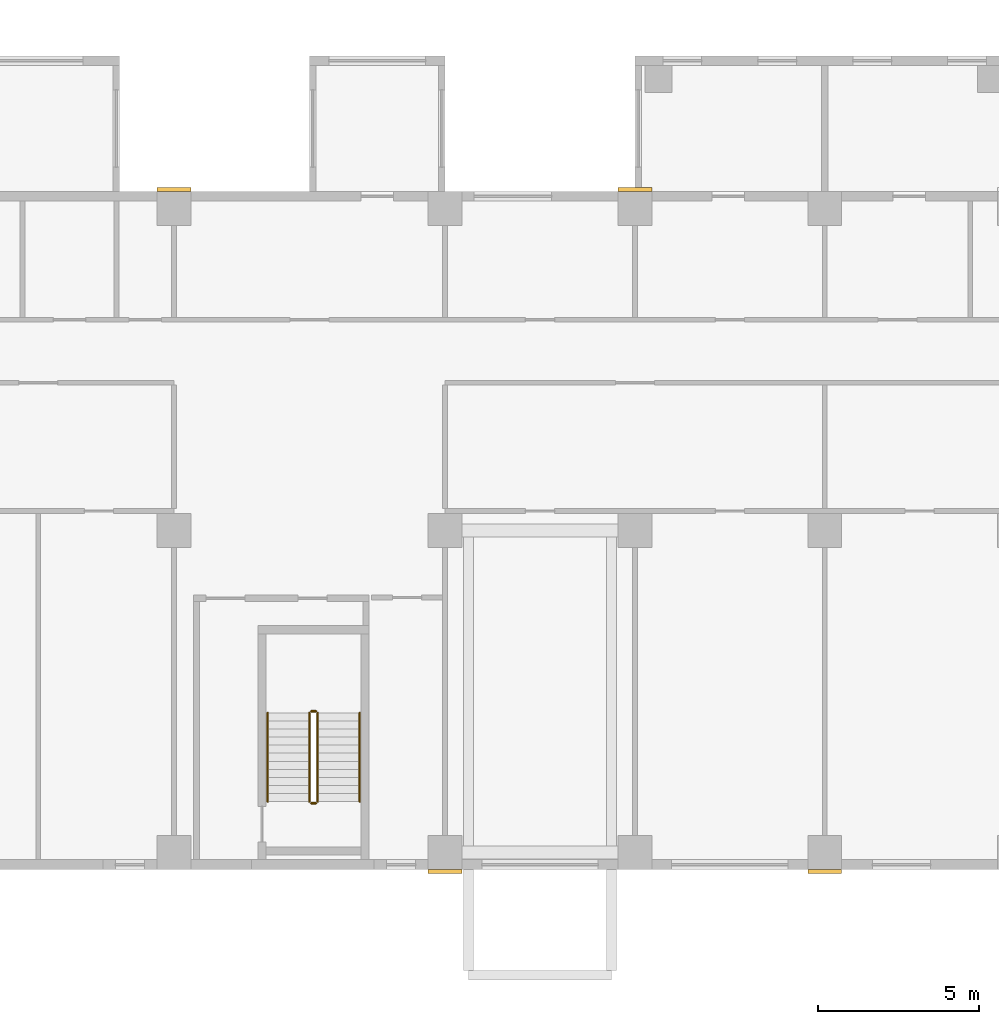
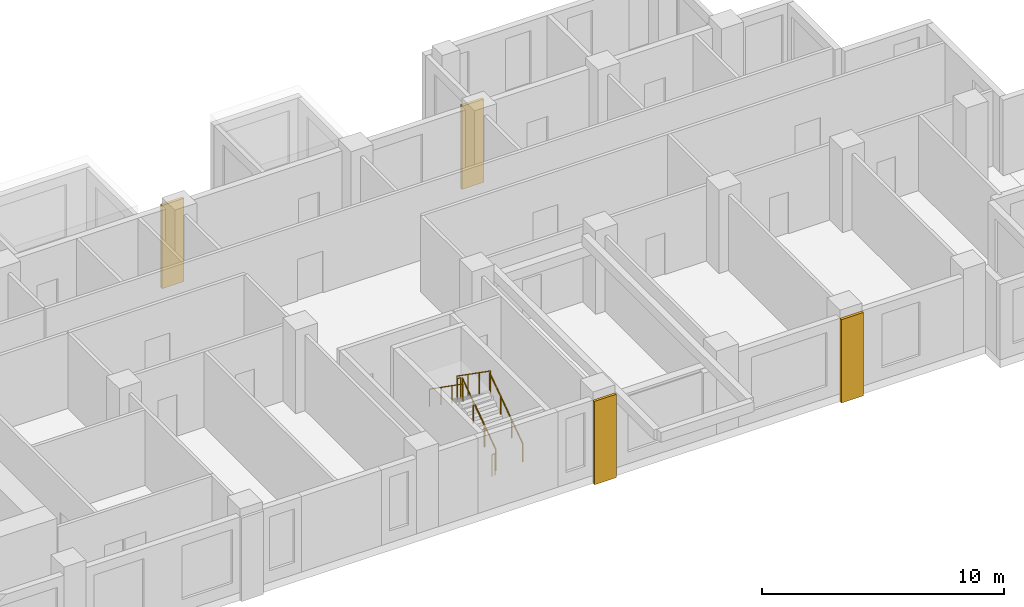
# One storey, part 12 of 14: 6 railings, 4 coverings.
"""IFC4 building model written with IfcOpenShell, lengths in metres."""

import ifcopenshell
import ifcopenshell.guid

model = None  # the IFC model being written
_history = None  # IfcOwnerHistory: only IFC2X3 demands one
_inside = {}  # id of a spatial element -> (the spatial element, [elements in it])
_under = {}  # id of a project, library or spatial element -> (it, [spatial elements below it])
_declared = {}  # id of a project -> (the project, [libraries it declares])
_typed = {}  # id of a type object -> (the type object, [elements of that type])
_made_of = {}  # id of a material, layer set ... -> (it, [elements and type objects made of it])


def new_model(schema):
    """Start an empty IFC model of exactly this schema.

    Asked for "IFC4X3", IfcOpenShell would pick the latest addendum, in which some entities
    have other attributes; the version numbers below select the first issue.
    IFC2X3 requires an IfcOwnerHistory on every rooted entity: one is made here for all.
    """
    global model, _history
    if schema == "IFC4X3":
        model = ifcopenshell.file(schema_version=(4, 3, 0, 0))
    else:
        model = ifcopenshell.file(schema=schema)
    _inside.clear()
    _under.clear()
    _declared.clear()
    _typed.clear()
    _made_of.clear()
    _history = None
    if model.schema == "IFC2X3":
        org = make("IfcOrganization", Name="unknown")
        user = make(
            "IfcPersonAndOrganization",
            ThePerson=make("IfcPerson", FamilyName="unknown"),
            TheOrganization=org,
        )
        app = make(
            "IfcApplication",
            ApplicationDeveloper=org,
            Version="unknown",
            ApplicationFullName="unknown",
            ApplicationIdentifier="unknown",
        )
        _history = make(
            "IfcOwnerHistory",
            OwningUser=user,
            OwningApplication=app,
            ChangeAction="ADDED",
            CreationDate=0,
        )
    return model


def make(cls, **values):
    """One entity of the class cls with the attributes given. An attribute that is None is left unset."""
    return model.create_entity(
        cls, **{name: value for name, value in values.items() if value is not None}
    )


def rooted(cls, **values):
    """An entity with a GlobalId (a new one), such as an element, a storey or a relation."""
    return make(cls, GlobalId=ifcopenshell.guid.new(), OwnerHistory=_history, **values)


def si_unit(unit_type, name, prefix=None):
    """IfcSIUnit, for example si_unit("LENGTHUNIT", "METRE", prefix="MILLI")."""
    return make("IfcSIUnit", UnitType=unit_type, Prefix=prefix, Name=name)


def assignment(units):
    """IfcUnitAssignment: the units of a project."""
    return None if units is None else make("IfcUnitAssignment", Units=units)


def point(xyz):
    """IfcCartesianPoint."""
    return None if xyz is None else make("IfcCartesianPoint", Coordinates=xyz)


def direction(xyz):
    """IfcDirection."""
    return None if xyz is None else make("IfcDirection", DirectionRatios=xyz)


def frame(location, z_axis=None, x_axis=None):
    """IfcAxis2Placement3D, a coordinate frame: its origin and axes. An axis left out is left unset."""
    return make(
        "IfcAxis2Placement3D",
        Location=point(location),
        Axis=direction(z_axis),
        RefDirection=direction(x_axis),
    )


def frame_2d(location, x_axis=None):
    """IfcAxis2Placement2D, a coordinate frame in the plane: its origin and x axis."""
    return make(
        "IfcAxis2Placement2D", Location=point(location), RefDirection=direction(x_axis)
    )


def origin():
    """The frame at (0, 0, 0) with its axes left unset."""
    return frame((0.0, 0.0, 0.0))


def origin_2d():
    """The frame at (0, 0) in the plane with its x axis left unset."""
    return frame_2d((0.0, 0.0))


def place(relative_to, where):
    """IfcLocalPlacement: puts the frame where relative to a parent placement (None: the world)."""
    return make(
        "IfcLocalPlacement", PlacementRelTo=relative_to, RelativePlacement=where
    )


def context(
    kind, dimensions, precision=None, world=None, true_north=None, identifier=None
):
    """IfcGeometricRepresentationContext, for example the 3D "Model" context."""
    return make(
        "IfcGeometricRepresentationContext",
        ContextIdentifier=identifier,
        ContextType=kind,
        CoordinateSpaceDimension=dimensions,
        Precision=precision,
        WorldCoordinateSystem=world,
        TrueNorth=true_north,
    )


def subcontext(parent, identifier, kind, view, scale=None):
    """IfcGeometricRepresentationSubContext, for example "Body" below "Model"."""
    return make(
        "IfcGeometricRepresentationSubContext",
        ContextIdentifier=identifier,
        ContextType=kind,
        ParentContext=parent,
        TargetScale=scale,
        TargetView=view,
    )


def project(units=None, contexts=None):
    """IfcProject with its units and contexts."""
    return rooted(
        "IfcProject",
        Name="project",
        RepresentationContexts=contexts,
        UnitsInContext=assignment(units),
    )


def spatial(cls, under=None, at=None, **own):
    """A site, building, storey or space (cls), placed at a placement, below another one or the project."""
    s = rooted(cls, ObjectPlacement=at, **own)
    if under is not None:
        _under.setdefault(under.id(), (under, []))[1].append(s)
    return s


def profile(cls, at=None, kind="AREA", **sizes):
    """A parametric profile (cls). Its sizes go by their IFC names, for example OverallWidth=200.0."""
    return make(cls, ProfileType=kind, Position=at, **sizes)


def rectangle(**sizes):
    """IfcRectangleProfileDef."""
    return profile("IfcRectangleProfileDef", **sizes)


def circle(**sizes):
    """IfcCircleProfileDef."""
    return profile("IfcCircleProfileDef", **sizes)


def extrude(swept, where, along, depth):
    """IfcExtrudedAreaSolid: the profile swept, set in the frame where, extruded along a direction by depth."""
    return make(
        "IfcExtrudedAreaSolid",
        SweptArea=swept,
        Position=where,
        ExtrudedDirection=direction(along),
        Depth=depth,
    )


def shape(context_of_items, identifier, shape_type, items):
    """IfcShapeRepresentation: the items that make up one representation, for example the "Body"."""
    return make(
        "IfcShapeRepresentation",
        ContextOfItems=context_of_items,
        RepresentationIdentifier=identifier,
        RepresentationType=shape_type,
        Items=items,
    )


def source(mapping_origin, context_of_items, identifier, shape_type, items):
    """IfcRepresentationMap: a shape defined once, which mapped items show again and again."""
    return make(
        "IfcRepresentationMap",
        MappingOrigin=mapping_origin,
        MappedRepresentation=shape(context_of_items, identifier, shape_type, items),
    )


def transform(
    local_origin,
    x_axis=None,
    y_axis=None,
    z_axis=None,
    scale=None,
    scale2=None,
    scale3=None,
    uniform=True,
):
    """IfcCartesianTransformationOperator3D, or its non-uniform kind. x_axis, y_axis, z_axis: its Axis1, 2, 3."""
    if uniform:
        return make(
            "IfcCartesianTransformationOperator3D",
            Axis1=direction(x_axis),
            Axis2=direction(y_axis),
            LocalOrigin=point(local_origin),
            Scale=scale,
            Axis3=direction(z_axis),
        )
    return make(
        "IfcCartesianTransformationOperator3DnonUniform",
        Axis1=direction(x_axis),
        Axis2=direction(y_axis),
        LocalOrigin=point(local_origin),
        Scale=scale,
        Axis3=direction(z_axis),
        Scale2=scale2,
        Scale3=scale3,
    )


def mapped(mapping_source, mapping_target):
    """IfcMappedItem: shows the shape of a source again, moved by a transform."""
    return make(
        "IfcMappedItem", MappingSource=mapping_source, MappingTarget=mapping_target
    )


def material(Name=None, Category=None):
    """IfcMaterial."""
    return make("IfcMaterial", Name=Name, Category=Category)


def made_of(thing, what):
    """Note that an element or type object is made of a material, layer set ...; save() writes the relation."""
    if what is not None:
        _made_of.setdefault(what.id(), (what, []))[1].append(thing)
    return thing


def type_object(cls, material=None, **own):
    """A type object (cls), such as IfcWallType, which elements share."""
    return made_of(rooted(cls, **own), material)


def element(
    cls,
    number,
    at=None,
    inside=None,
    cuts=None,
    type_object=None,
    material=None,
    context=None,
    identifier="Body",
    shape_type=None,
    held_by="IfcProductDefinitionShape",
    body=None,
    shapes=None,
    **own,
):
    """One element of the class cls, such as IfcWall. Its Tag is "e" and its number.

    at: its placement. inside: the storey or other place that contains it. cuts: it is an
    opening in that element (IfcRelVoidsElement). A single representation is given by context,
    identifier, shape_type and body (its items); several are given by shapes. held_by: the class
    of the entity that holds the representations. save() writes the other relations.
    """
    e = rooted(cls, Tag="e%d" % number, ObjectPlacement=at, **own)
    if body is not None:
        shapes = [shape(context, identifier, shape_type, body)]
    if shapes is not None:
        e.Representation = make(held_by, Representations=shapes)
    if inside is not None:
        _inside.setdefault(inside.id(), (inside, []))[1].append(e)
    if cuts is not None:
        rooted(
            "IfcRelVoidsElement", RelatingBuildingElement=cuts, RelatedOpeningElement=e
        )
    if type_object is not None:
        _typed.setdefault(type_object.id(), (type_object, []))[1].append(e)
    return made_of(e, material)


def aggregate(whole, parts):
    """IfcRelAggregates: a whole, such as a stair, and the parts it consists of."""
    return rooted("IfcRelAggregates", RelatingObject=whole, RelatedObjects=parts)


def save(model, path):
    """Write the relations noted so far, then the file.

    IfcRelAggregates (storeys below a building ...), IfcRelContainedInSpatialStructure (elements
    in a storey), IfcRelDefinesByType, IfcRelAssociatesMaterial and IfcRelDeclares: one each for
    every whole, place, type object, material and project.
    """
    for whole, parts in _under.values():
        aggregate(whole, parts)
    for where, things in _inside.values():
        rooted(
            "IfcRelContainedInSpatialStructure",
            RelatedElements=things,
            RelatingStructure=where,
        )
    for kind, things in _typed.values():
        rooted("IfcRelDefinesByType", RelatedObjects=things, RelatingType=kind)
    for what, things in _made_of.values():
        rooted("IfcRelAssociatesMaterial", RelatedObjects=things, RelatingMaterial=what)
    for by, libraries in _declared.values():
        rooted("IfcRelDeclares", RelatingContext=by, RelatedDefinitions=libraries)
    model.write(path)


model = new_model("IFC4")

# Units and contexts
model_context = context("Model", 3, precision=1e-05, world=origin(), true_north=direction((0.0, 1.0)))
body_context = subcontext(model_context, "Body", "Model", "MODEL_VIEW")
ifc_project = project(units=[si_unit("LENGTHUNIT", "METRE"), si_unit("AREAUNIT", "SQUARE_METRE"), si_unit("VOLUMEUNIT", "CUBIC_METRE"), si_unit("PLANEANGLEUNIT", "RADIAN"), si_unit("MASSUNIT", "GRAM", prefix="KILO")], contexts=[model_context])

# Site, building, storey
site_placement = place(None, origin())
site = spatial("IfcSite", under=ifc_project, at=site_placement, CompositionType="ELEMENT")
building_placement = place(site_placement, origin())
building = spatial("IfcBuilding", under=site, at=building_placement, Name="Aurelian Terraces", CompositionType="ELEMENT")
storey_placement = place(building_placement, frame((0.0, 0.0, 141.3)))
storey = spatial("IfcBuildingStorey", under=building, at=storey_placement, Name="L31", CompositionType="ELEMENT", Elevation=141.3)

# Coverings
ifc_material_1 = material(Name="Terracotta rainscreen cladding relief", Category="masonry")
covering_type = type_object("IfcCoveringType", Name="BAGUETTE-TC", PredefinedType="CLADDING", material=ifc_material_1)
shared_shape_1 = source(origin(), body_context, "Body", "SweptSolid", [
    extrude(rectangle(XDim=1.05, YDim=0.12, at=origin_2d()), origin(), (0.0, 0.0, 1.0), 4.2),
])
for number, where, z_axis, x_axis, name in (
    (1, (46.2, -0.06, -0.4), (0.0, 0.0, 1.0), (1.0, 0.0, 0.0), "BAGUETTE pier L31 3"),
    (2, (57.96, -0.06, -0.4), (0.0, 0.0, 1.0), (1.0, 0.0, 0.0), "BAGUETTE pier L31 4"),
    (3, (37.8, 21.06, -0.4), (0.0, 0.0, 1.0), (1.0, 0.0, 0.0), "BAGUETTE pier L31 7"),
    (4, (52.08, 21.06, -0.4), (0.0, 0.0, 1.0), (1.0, 0.0, 0.0), "BAGUETTE pier L31 8"),
):
    element("IfcCovering", number, at=place(storey_placement, frame(where, z_axis=z_axis, x_axis=x_axis)), inside=storey, type_object=covering_type, Name=name, PredefinedType="CLADDING", context=body_context, shape_type="MappedRepresentation", body=[
        mapped(shared_shape_1, transform((0.0, 0.0, 0.0), scale=1.0)),
    ])

# Railings
ifc_material_2 = material(Name="Stainless steel", Category="steel")
railing_type_1 = type_object("IfcRailingType", Name="Stair guard 1100", PredefinedType="GUARDRAIL", material=ifc_material_2)
shared_shape_2 = source(origin(), body_context, "Body", "SweptSolid", [
    extrude(circle(Radius=0.024, at=origin_2d()), frame((0.0, 0.0, 1.076), z_axis=(-1.0, 0.0, 0.0), x_axis=(0.0, -1.0, 0.0)), (0.0, 0.0, 1.0), 0.15),
    extrude(circle(Radius=0.021, at=origin_2d()), origin(), (0.0, 0.0, 1.0), 1.052),
    extrude(circle(Radius=0.021, at=origin_2d()), frame((-0.15, 0.0, 0.0)), (0.0, 0.0, 1.0), 1.052),
])
for number, where, name in (
    (5, (42.2, 4.9, 2.1), "L31 S2 stair guard 2"),
    (6, (42.2, 2.05, 0.0), "L31 S2 stair guard 4"),
):
    element("IfcRailing", number, at=place(storey_placement, frame(where)), inside=storey, type_object=railing_type_1, Name=name, PredefinedType="GUARDRAIL", context=body_context, shape_type="MappedRepresentation", body=[
        mapped(shared_shape_2, transform((0.0, 0.0, 0.0), scale=1.0)),
    ])
shared_shape_3 = source(origin(), body_context, "Body", "SweptSolid", [
    extrude(circle(Radius=0.024, at=origin_2d()), frame((0.0, 0.0, 1.076), z_axis=(0.0, 0.819231920519, 0.573462344363), x_axis=(-1.0, 0.0, 0.0)), (0.0, 0.0, 1.0), 3.3568),
    extrude(circle(Radius=0.021, at=origin_2d()), origin(), (0.0, 0.0, 1.0), 1.052),
    extrude(circle(Radius=0.021, at=origin_2d()), frame((0.0, 0.9167, 0.6417)), (0.0, 0.0, 1.0), 1.052),
    extrude(circle(Radius=0.021, at=origin_2d()), frame((0.0, 1.8333, 1.2833)), (0.0, 0.0, 1.0), 1.052),
    extrude(circle(Radius=0.021, at=origin_2d()), frame((0.0, 2.75, 1.925)), (0.0, 0.0, 1.0), 1.052),
])
railing_1_placement = place(storey_placement, frame((42.25, 2.1, 0.175)))
element("IfcRailing", 7, at=railing_1_placement, inside=storey, type_object=railing_type_1, Name="L31 S2 stair guard 1", PredefinedType="GUARDRAIL", context=body_context, shape_type="MappedRepresentation", body=[
    mapped(shared_shape_3, transform((0.0, 0.0, 0.0), scale=1.0)),
])
shared_shape_4 = source(origin(), body_context, "Body", "SweptSolid", [
    extrude(circle(Radius=0.024, at=origin_2d()), frame((0.0, 0.0, 1.076), z_axis=(0.0, -0.819231920519, 0.573462344363), x_axis=(1.0, 0.0, 0.0)), (0.0, 0.0, 1.0), 3.3568),
    extrude(circle(Radius=0.021, at=origin_2d()), origin(), (0.0, 0.0, 1.0), 1.052),
    extrude(circle(Radius=0.021, at=origin_2d()), frame((0.0, -0.9167, 0.6417)), (0.0, 0.0, 1.0), 1.052),
    extrude(circle(Radius=0.021, at=origin_2d()), frame((0.0, -1.8333, 1.2833)), (0.0, 0.0, 1.0), 1.052),
    extrude(circle(Radius=0.021, at=origin_2d()), frame((0.0, -2.75, 1.925)), (0.0, 0.0, 1.0), 1.052),
])
railing_2_placement = place(storey_placement, frame((42.0, 4.85, 2.275)))
element("IfcRailing", 8, at=railing_2_placement, inside=storey, type_object=railing_type_1, Name="L31 S2 stair guard 3", PredefinedType="GUARDRAIL", context=body_context, shape_type="MappedRepresentation", body=[
    mapped(shared_shape_4, transform((0.0, 0.0, 0.0), scale=1.0)),
])
railing_type_2 = type_object("IfcRailingType", Name="Stair handrail", PredefinedType="HANDRAIL", material=ifc_material_2)
shared_shape_5 = source(origin(), body_context, "Body", "SweptSolid", [
    extrude(circle(Radius=0.024, at=origin_2d()), frame((0.0, 0.0, 0.876), z_axis=(0.0, 0.819231920519, 0.573462344363), x_axis=(-1.0, 0.0, 0.0)), (0.0, 0.0, 1.0), 3.3568),
    extrude(circle(Radius=0.021, at=origin_2d()), origin(), (0.0, 0.0, 1.0), 0.852),
    extrude(circle(Radius=0.021, at=origin_2d()), frame((0.0, 0.9167, 0.6417)), (0.0, 0.0, 1.0), 0.852),
    extrude(circle(Radius=0.021, at=origin_2d()), frame((0.0, 1.8333, 1.2833)), (0.0, 0.0, 1.0), 0.852),
    extrude(circle(Radius=0.021, at=origin_2d()), frame((0.0, 2.75, 1.925)), (0.0, 0.0, 1.0), 0.852),
])
railing_3_placement = place(storey_placement, frame((43.55, 2.1, 0.175)))
element("IfcRailing", 9, at=railing_3_placement, inside=storey, type_object=railing_type_2, Name="L31 S2 stair handrail 1", PredefinedType="HANDRAIL", context=body_context, shape_type="MappedRepresentation", body=[
    mapped(shared_shape_5, transform((0.0, 0.0, 0.0), scale=1.0)),
])
shared_shape_6 = source(origin(), body_context, "Body", "SweptSolid", [
    extrude(circle(Radius=0.024, at=origin_2d()), frame((0.0, 0.0, 0.876), z_axis=(0.0, -0.819231920519, 0.573462344363), x_axis=(1.0, 0.0, 0.0)), (0.0, 0.0, 1.0), 3.3568),
    extrude(circle(Radius=0.021, at=origin_2d()), origin(), (0.0, 0.0, 1.0), 0.852),
    extrude(circle(Radius=0.021, at=origin_2d()), frame((0.0, -0.9167, 0.6417)), (0.0, 0.0, 1.0), 0.852),
    extrude(circle(Radius=0.021, at=origin_2d()), frame((0.0, -1.8333, 1.2833)), (0.0, 0.0, 1.0), 0.852),
    extrude(circle(Radius=0.021, at=origin_2d()), frame((0.0, -2.75, 1.925)), (0.0, 0.0, 1.0), 0.852),
])
railing_4_placement = place(storey_placement, frame((40.7, 4.85, 2.275)))
element("IfcRailing", 10, at=railing_4_placement, inside=storey, type_object=railing_type_2, Name="L31 S2 stair handrail 2", PredefinedType="HANDRAIL", context=body_context, shape_type="MappedRepresentation", body=[
    mapped(shared_shape_6, transform((0.0, 0.0, 0.0), scale=1.0)),
])

save(model, "model.ifc")
